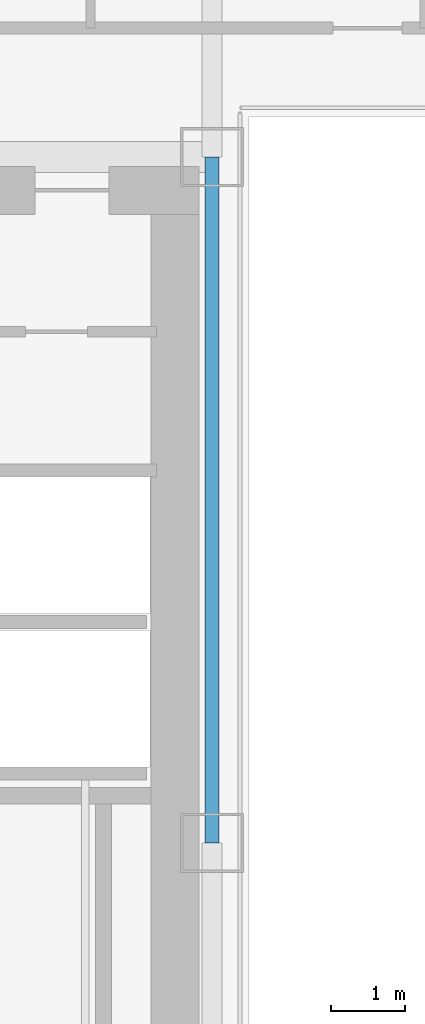
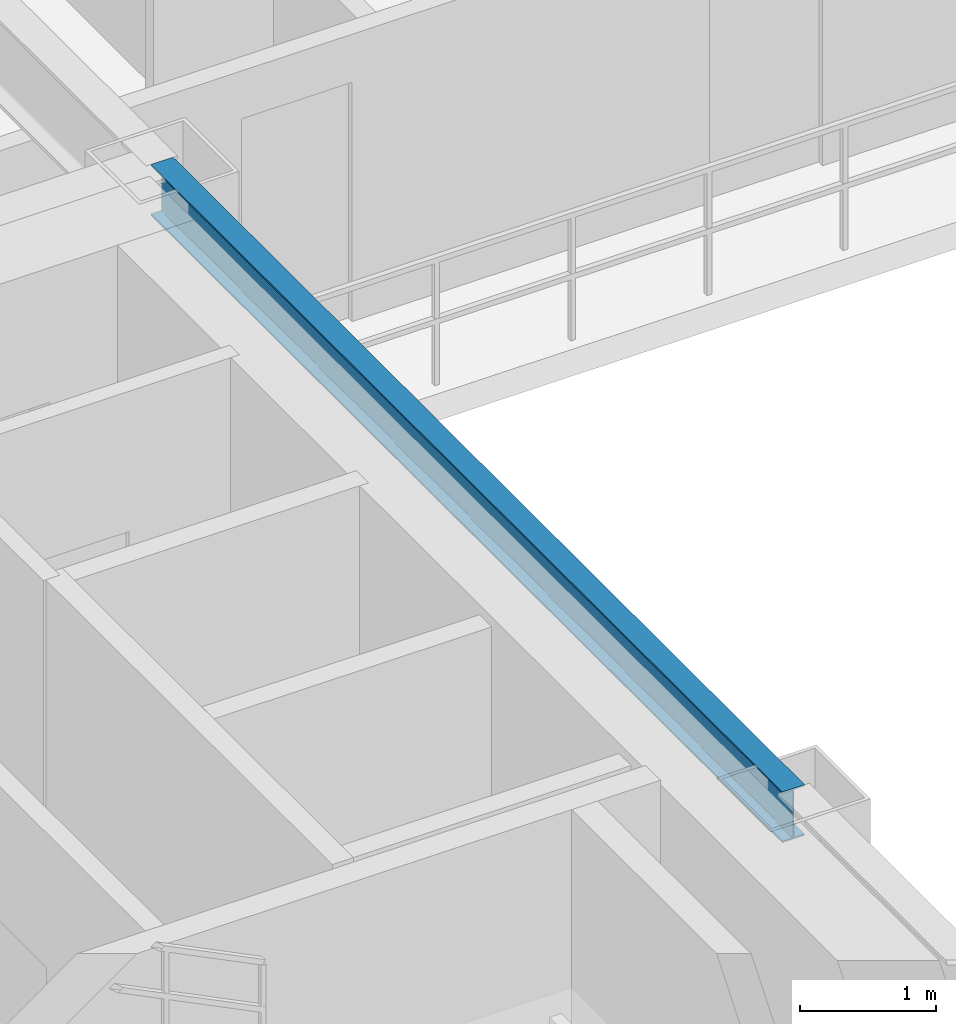
# One storey, part 9 of 35: 1 beam.
"""IFC4 building model written with IfcOpenShell, lengths in metres."""

from ifc_helpers import new_model, si_unit, direction, frame, origin, origin_2d, place, context, subcontext, project, spatial, i_section, extrude, source, transform, mapped, material, material_profile, profile_set, type_object, element, save


model = new_model("IFC4")

# Units and contexts
model_context = context("Model", 3, precision=1e-05, world=origin(), true_north=direction((0.0, 1.0)))
body_context = subcontext(model_context, "Body", "Model", "MODEL_VIEW")
ifc_project = project(units=[si_unit("LENGTHUNIT", "METRE"), si_unit("AREAUNIT", "SQUARE_METRE"), si_unit("VOLUMEUNIT", "CUBIC_METRE"), si_unit("PLANEANGLEUNIT", "RADIAN"), si_unit("MASSUNIT", "GRAM", prefix="KILO")], contexts=[model_context])

# Site, building, storey
site_placement = place(None, origin())
site = spatial("IfcSite", under=ifc_project, at=site_placement, CompositionType="ELEMENT")
building_placement = place(site_placement, origin())
building = spatial("IfcBuilding", under=site, at=building_placement, Name="Ocotamira Hotel", CompositionType="ELEMENT")
storey_placement = place(building_placement, frame((0.0, 0.0, 122.39990234375)))
storey = spatial("IfcBuildingStorey", under=building, at=storey_placement, Name="L30", CompositionType="ELEMENT", Elevation=122.39990234375)

# Beam
ifc_material = material(Name="Steel ASTM A992 Grade 50", Category="steel")
ifc_material_profile = material_profile(ifc_material, i_section(OverallWidth=0.18994140625, OverallDepth=0.45703125, WebThickness=0.009033203125, FlangeThickness=0.014404296875, FilletRadius=0.010009765625, at=origin_2d()), Name="W18X50")
ifc_profile_set = profile_set([ifc_material_profile], Name="Steel ASTM A992 Grade 50")
beam_type = type_object("IfcBeamType", Name="BM-SEC-W18X50", PredefinedType="JOIST", material=ifc_profile_set)
shared_shape = source(origin(), body_context, "Body", "SweptSolid", [
    extrude(i_section(OverallWidth=0.18994140625, OverallDepth=0.45703125, WebThickness=0.009033203125, FlangeThickness=0.014404296875, FilletRadius=0.010009765625, at=origin_2d()), origin(), (0.0, 0.0, 1.0), 9.300048828125),
])
beam_placement = place(storey_placement, frame((23.5, 28.14990234375, 3.131591796875), z_axis=(0.0, 1.0, 0.0), x_axis=(-1.0, 0.0, 0.0)))
element("IfcBeam", 1, at=beam_placement, inside=storey, type_object=beam_type, Name="L30 Beam X23.5 Y28.15-37.45", PredefinedType="JOIST", context=body_context, shape_type="MappedRepresentation", body=[
    mapped(shared_shape, transform((0.0, 0.0, 0.0), scale=1.0)),
])

save(model, "model.ifc")
